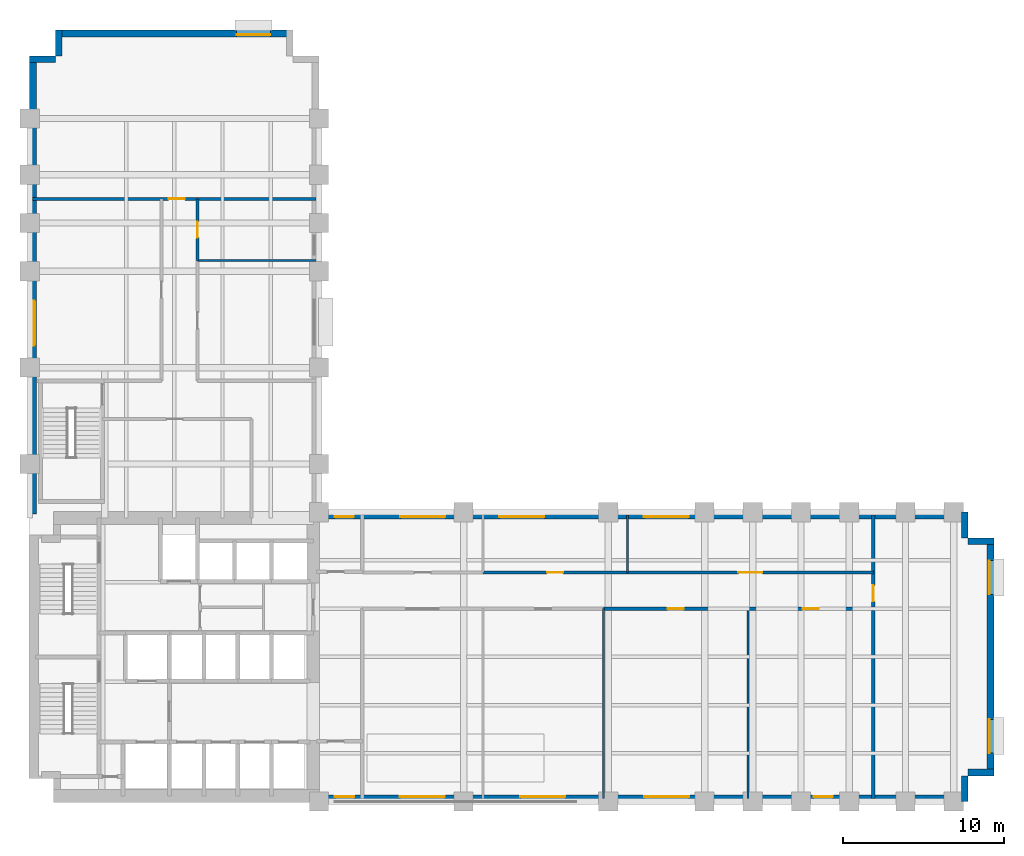
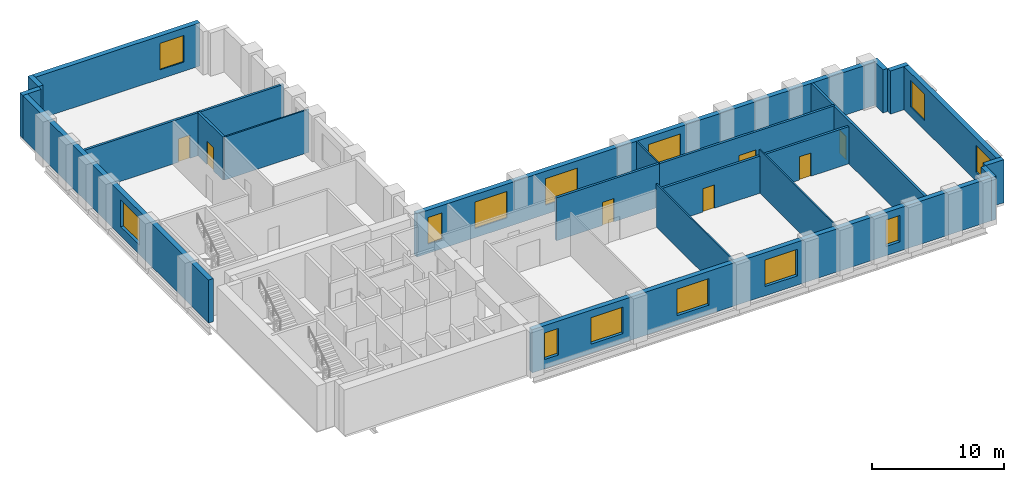
# One storey, part 5 of 8: 22 walls, 13 windows, 7 doors, 20 openings.
"""IFC4 building model written with IfcOpenShell, lengths in metres."""

from ifc_helpers import new_model, si_unit, direction, frame, frame_2d, origin, place, context, subcontext, project, spatial, rectangle, extrude, material, layer, layer_set, type_object, element, fill, save


model = new_model("IFC4")

# Units and contexts
model_context = context("Model", 3, precision=1e-05, world=origin(), true_north=direction((0.0, 1.0)))
body_context = subcontext(model_context, "Body", "Model", "MODEL_VIEW")
ifc_project = project(units=[si_unit("LENGTHUNIT", "METRE"), si_unit("AREAUNIT", "SQUARE_METRE"), si_unit("VOLUMEUNIT", "CUBIC_METRE"), si_unit("PLANEANGLEUNIT", "RADIAN"), si_unit("MASSUNIT", "GRAM", prefix="KILO")], contexts=[model_context])

# Site, building, storey
site_placement = place(None, origin())
site = spatial("IfcSite", under=ifc_project, at=site_placement, CompositionType="ELEMENT")
building_placement = place(site_placement, origin())
building = spatial("IfcBuilding", under=site, at=building_placement, Name="Mawjdan Bourse Tower", CompositionType="ELEMENT")
storey_placement = place(building_placement, frame((0.0, 0.0, 63.60009765625)))
storey = spatial("IfcBuildingStorey", under=building, at=storey_placement, Name="L14", CompositionType="ELEMENT", Elevation=63.60009765625)

# Wall, openings, windows
ifc_material_1 = material(Name="Brick Masonry Buff", Category="masonry")
ifc_layer_1 = layer(ifc_material_1, 0.419921875)
ifc_layer_set_1 = layer_set([ifc_layer_1], Name="Brick Masonry Buff")
wall_type_1 = type_object("IfcWallType", Name="WL-BRK-BUFF-420", PredefinedType="STANDARD", material=ifc_layer_set_1)
wall_1_placement = place(storey_placement, frame((23.89990234375, 3.2099609375, 0.0), z_axis=(0.0, 0.0, 1.0), x_axis=(1.0, 0.0, 0.0)))
wall_1 = element("IfcWall", 1, at=wall_1_placement, inside=storey, type_object=wall_type_1, Name="L14 Exterior Brick Wall 1", PredefinedType="STANDARD", context=body_context, shape_type="SweptSolid", body=[
    extrude(rectangle(XDim=40.5, YDim=0.419921875, at=frame_2d((20.25, 0.0))), origin(), (0.0, 0.0, 1.0), 3.97998046875),
])
opening_1_placement = place(wall_1_placement, frame((1.10009765625, 0.0, 0.85009765625)))
opening_1 = element("IfcOpeningElement", 2, at=opening_1_placement, cuts=wall_1, Name="Opening W-L14-07", PredefinedType="OPENING", context=body_context, shape_type="SweptSolid", body=[
    extrude(rectangle(XDim=1.199951171875, YDim=2.449951171875, at=frame_2d((0.60009765625, 1.22509765625))), frame((0.0, 0.219970703125, 0.0), z_axis=(0.0, -1.0, 0.0), x_axis=(1.0, 0.0, 0.0)), (0.0, 0.0, 1.0), 0.43994140625),
])
opening_2_placement = place(wall_1_placement, frame((5.13623046875, 0.0, 0.85009765625)))
opening_2 = element("IfcOpeningElement", 3, at=opening_2_placement, cuts=wall_1, Name="Opening W-L14-09", PredefinedType="OPENING", context=body_context, shape_type="SweptSolid", body=[
    extrude(rectangle(XDim=2.800048828125, YDim=2.449951171875, at=frame_2d((1.39990234375, 1.22509765625))), frame((0.0, 0.219970703125, 0.0), z_axis=(0.0, -1.0, 0.0), x_axis=(1.0, 0.0, 0.0)), (0.0, 0.0, 1.0), 0.43994140625),
])
opening_3_placement = place(wall_1_placement, frame((12.63623046875, 0.0, 0.85009765625)))
opening_3 = element("IfcOpeningElement", 4, at=opening_3_placement, cuts=wall_1, Name="Opening W-L14-10", PredefinedType="OPENING", context=body_context, shape_type="SweptSolid", body=[
    extrude(rectangle(XDim=2.800048828125, YDim=2.449951171875, at=frame_2d((1.39990234375, 1.22509765625))), frame((0.0, 0.219970703125, 0.0), z_axis=(0.0, -1.0, 0.0), x_axis=(1.0, 0.0, 0.0)), (0.0, 0.0, 1.0), 0.43994140625),
])
opening_4_placement = place(wall_1_placement, frame((20.336181640625, 0.0, 0.85009765625)))
opening_4 = element("IfcOpeningElement", 5, at=opening_4_placement, cuts=wall_1, Name="Opening W-L14-11", PredefinedType="OPENING", context=body_context, shape_type="SweptSolid", body=[
    extrude(rectangle(XDim=2.800048828125, YDim=2.449951171875, at=frame_2d((1.39990234375, 1.22509765625))), frame((0.0, 0.219970703125, 0.0), z_axis=(0.0, -1.0, 0.0), x_axis=(1.0, 0.0, 0.0)), (0.0, 0.0, 1.0), 0.43994140625),
])
opening_5_placement = place(wall_1_placement, frame((30.88623046875, 0.0, 0.85009765625)))
opening_5 = element("IfcOpeningElement", 6, at=opening_5_placement, cuts=wall_1, Name="Opening W-L14-12", PredefinedType="OPENING", context=body_context, shape_type="SweptSolid", body=[
    extrude(rectangle(XDim=1.199951171875, YDim=2.449951171875, at=frame_2d((0.60009765625, 1.22509765625))), frame((0.0, 0.219970703125, 0.0), z_axis=(0.0, -1.0, 0.0), x_axis=(1.0, 0.0, 0.0)), (0.0, 0.0, 1.0), 0.43994140625),
])
ifc_material_2 = material(Name="Solar-Control Clear Double Glazing", Category="glass")
window_type_1 = type_object("IfcWindowType", Name="WN-TRD-1200", PartitioningType="SINGLE_PANEL", PredefinedType="WINDOW", material=ifc_material_2)
window_1_placement = place(opening_1_placement, origin())
window_1 = element("IfcWindow", 7, at=window_1_placement, inside=storey, type_object=window_type_1, Name="L14 Deep-Set Masonry Window W-L14-07", OverallHeight=2.449951171875, OverallWidth=1.199951171875, PartitioningType="SINGLE_PANEL", PredefinedType="WINDOW", context=body_context, shape_type="SweptSolid", body=[
    extrude(rectangle(XDim=1.199951171875, YDim=2.449951171875, at=frame_2d((0.60009765625, 1.22509765625))), frame((0.0, 0.110107421875, 0.0), z_axis=(0.0, -1.0, 0.0), x_axis=(1.0, 0.0, 0.0)), (0.0, 0.0, 1.0), 0.06005859375),
])
fill(opening_1, window_1)
window_2_placement = place(opening_5_placement, origin())
window_2 = element("IfcWindow", 8, at=window_2_placement, inside=storey, type_object=window_type_1, Name="L14 Deep-Set Masonry Window W-L14-12", OverallHeight=2.449951171875, OverallWidth=1.199951171875, PartitioningType="SINGLE_PANEL", PredefinedType="WINDOW", context=body_context, shape_type="SweptSolid", body=[
    extrude(rectangle(XDim=1.199951171875, YDim=2.449951171875, at=frame_2d((0.60009765625, 1.22509765625))), frame((0.0, 0.110107421875, 0.0), z_axis=(0.0, -1.0, 0.0), x_axis=(1.0, 0.0, 0.0)), (0.0, 0.0, 1.0), 0.06005859375),
])
fill(opening_5, window_2)
window_type_2 = type_object("IfcWindowType", Name="WN-TRD-2800", PartitioningType="SINGLE_PANEL", PredefinedType="WINDOW", material=ifc_material_2)
window_3_placement = place(opening_2_placement, origin())
window_3 = element("IfcWindow", 9, at=window_3_placement, inside=storey, type_object=window_type_2, Name="L14 Deep-Set Masonry Window W-L14-09", OverallHeight=2.449951171875, OverallWidth=2.800048828125, PartitioningType="SINGLE_PANEL", PredefinedType="WINDOW", context=body_context, shape_type="SweptSolid", body=[
    extrude(rectangle(XDim=2.800048828125, YDim=2.449951171875, at=frame_2d((1.39990234375, 1.22509765625))), frame((0.0, 0.110107421875, 0.0), z_axis=(0.0, -1.0, 0.0), x_axis=(1.0, 0.0, 0.0)), (0.0, 0.0, 1.0), 0.06005859375),
])
fill(opening_2, window_3)
window_4_placement = place(opening_3_placement, origin())
window_4 = element("IfcWindow", 10, at=window_4_placement, inside=storey, type_object=window_type_2, Name="L14 Deep-Set Masonry Window W-L14-10", OverallHeight=2.449951171875, OverallWidth=2.800048828125, PartitioningType="SINGLE_PANEL", PredefinedType="WINDOW", context=body_context, shape_type="SweptSolid", body=[
    extrude(rectangle(XDim=2.800048828125, YDim=2.449951171875, at=frame_2d((1.39990234375, 1.22509765625))), frame((0.0, 0.110107421875, 0.0), z_axis=(0.0, -1.0, 0.0), x_axis=(1.0, 0.0, 0.0)), (0.0, 0.0, 1.0), 0.06005859375),
])
fill(opening_3, window_4)
window_5_placement = place(opening_4_placement, origin())
window_5 = element("IfcWindow", 11, at=window_5_placement, inside=storey, type_object=window_type_2, Name="L14 Deep-Set Masonry Window W-L14-11", OverallHeight=2.449951171875, OverallWidth=2.800048828125, PartitioningType="SINGLE_PANEL", PredefinedType="WINDOW", context=body_context, shape_type="SweptSolid", body=[
    extrude(rectangle(XDim=2.800048828125, YDim=2.449951171875, at=frame_2d((1.39990234375, 1.22509765625))), frame((0.0, 0.110107421875, 0.0), z_axis=(0.0, -1.0, 0.0), x_axis=(1.0, 0.0, 0.0)), (0.0, 0.0, 1.0), 0.06005859375),
])
fill(opening_4, window_5)

# Walls
for number, where, z_axis, x_axis, name in (
    (12, (64.18994140625, 3.0, 0.0), (0.0, 0.0, 1.0), (0.0, 1.0, 0.0), "L14 Exterior Brick Wall 2"),
    (13, (64.39990234375, 4.81005859375, 0.0), (0.0, 0.0, 1.0), (1.0, 0.0, 0.0), "L14 Exterior Brick Wall 3"),
):
    element("IfcWall", number, at=place(storey_placement, frame(where, z_axis=z_axis, x_axis=x_axis)), inside=storey, type_object=wall_type_1, Name=name, PredefinedType="STANDARD", context=body_context, shape_type="SweptSolid", body=[
        extrude(rectangle(XDim=1.60009765625, YDim=0.419921875, at=frame_2d((0.800048828125, 0.0))), origin(), (0.0, 0.0, 1.0), 3.97998046875),
    ])

# Wall, openings, windows
wall_2_placement = place(storey_placement, frame((65.7900390625, 4.60009765625, 0.0), z_axis=(0.0, 0.0, 1.0), x_axis=(0.0, 1.0, 0.0)))
wall_2 = element("IfcWall", 14, at=wall_2_placement, inside=storey, type_object=wall_type_1, Name="L14 Exterior Brick Wall 4", PredefinedType="STANDARD", context=body_context, shape_type="SweptSolid", body=[
    extrude(rectangle(XDim=14.7998046875, YDim=0.419921875, at=frame_2d((7.39990234375, 0.0))), origin(), (0.0, 0.0, 1.0), 3.97998046875),
])
opening_6_placement = place(wall_2_placement, frame((1.416748046875, 0.0, 0.85009765625)))
opening_6 = element("IfcOpeningElement", 15, at=opening_6_placement, cuts=wall_2, Name="Opening W-L14-01", PredefinedType="OPENING", context=body_context, shape_type="SweptSolid", body=[
    extrude(rectangle(XDim=2.10009765625, YDim=2.449951171875, at=frame_2d((1.050048828125, 1.22509765625))), frame((0.0, 0.219970703125, 0.0), z_axis=(0.0, -1.0, 0.0), x_axis=(1.0, 0.0, 0.0)), (0.0, 0.0, 1.0), 0.43994140625),
])
opening_7_placement = place(wall_2_placement, frame((11.283203125, 0.0, 0.85009765625)))
opening_7 = element("IfcOpeningElement", 16, at=opening_7_placement, cuts=wall_2, Name="Opening W-L14-02", PredefinedType="OPENING", context=body_context, shape_type="SweptSolid", body=[
    extrude(rectangle(XDim=2.10009765625, YDim=2.449951171875, at=frame_2d((1.050048828125, 1.22509765625))), frame((0.0, 0.219970703125, 0.0), z_axis=(0.0, -1.0, 0.0), x_axis=(1.0, 0.0, 0.0)), (0.0, 0.0, 1.0), 0.43994140625),
])
window_type_3 = type_object("IfcWindowType", Name="WN-TRD-2100", PartitioningType="SINGLE_PANEL", PredefinedType="WINDOW", material=ifc_material_2)
window_6_placement = place(opening_6_placement, origin())
window_6 = element("IfcWindow", 17, at=window_6_placement, inside=storey, type_object=window_type_3, Name="L14 Deep-Set Masonry Window W-L14-01", OverallHeight=2.449951171875, OverallWidth=2.10009765625, PartitioningType="SINGLE_PANEL", PredefinedType="WINDOW", context=body_context, shape_type="SweptSolid", body=[
    extrude(rectangle(XDim=2.10009765625, YDim=2.449951171875, at=frame_2d((1.050048828125, 1.22509765625))), frame((0.0, 0.110107421875, 0.0), z_axis=(0.0, -1.0, 0.0), x_axis=(1.0, 0.0, 0.0)), (0.0, 0.0, 1.0), 0.06005859375),
])
fill(opening_6, window_6)
window_7_placement = place(opening_7_placement, origin())
window_7 = element("IfcWindow", 18, at=window_7_placement, inside=storey, type_object=window_type_3, Name="L14 Deep-Set Masonry Window W-L14-02", OverallHeight=2.449951171875, OverallWidth=2.10009765625, PartitioningType="SINGLE_PANEL", PredefinedType="WINDOW", context=body_context, shape_type="SweptSolid", body=[
    extrude(rectangle(XDim=2.10009765625, YDim=2.449951171875, at=frame_2d((1.050048828125, 1.22509765625))), frame((0.0, 0.110107421875, 0.0), z_axis=(0.0, -1.0, 0.0), x_axis=(1.0, 0.0, 0.0)), (0.0, 0.0, 1.0), 0.06005859375),
])
fill(opening_7, window_7)

# Walls
for number, where, z_axis, x_axis, name in (
    (19, (66.0, 19.18994140625, 0.0), (0.0, 0.0, 1.0), (-1.0, 0.0, 0.0), "L14 Exterior Brick Wall 5"),
    (20, (64.18994140625, 19.39990234375, 0.0), (0.0, 0.0, 1.0), (0.0, 1.0, 0.0), "L14 Exterior Brick Wall 6"),
):
    element("IfcWall", number, at=place(storey_placement, frame(where, z_axis=z_axis, x_axis=x_axis)), inside=storey, type_object=wall_type_1, Name=name, PredefinedType="STANDARD", context=body_context, shape_type="SweptSolid", body=[
        extrude(rectangle(XDim=1.60009765625, YDim=0.419921875, at=frame_2d((0.800048828125, 0.0))), origin(), (0.0, 0.0, 1.0), 3.97998046875),
    ])

# Wall, openings, windows
wall_3_placement = place(storey_placement, frame((64.39990234375, 20.7900390625, 0.0), z_axis=(0.0, 0.0, 1.0), x_axis=(-1.0, 0.0, 0.0)))
wall_3 = element("IfcWall", 21, at=wall_3_placement, inside=storey, type_object=wall_type_1, Name="L14 Exterior Brick Wall 7", PredefinedType="STANDARD", context=body_context, shape_type="SweptSolid", body=[
    extrude(rectangle(XDim=40.39990234375, YDim=0.419921875, at=frame_2d((20.199951171875, 0.0))), origin(), (0.0, 0.0, 1.0), 3.97998046875),
])
opening_8_placement = place(wall_3_placement, frame((26.375, 0.0, 0.85009765625)))
opening_8 = element("IfcOpeningElement", 22, at=opening_8_placement, cuts=wall_3, Name="Opening W-L14-03", PredefinedType="OPENING", context=body_context, shape_type="SweptSolid", body=[
    extrude(rectangle(XDim=2.800048828125, YDim=2.449951171875, at=frame_2d((1.39990234375, 1.22509765625))), frame((0.0, 0.219970703125, 0.0), z_axis=(0.0, -1.0, 0.0), x_axis=(1.0, 0.0, 0.0)), (0.0, 0.0, 1.0), 0.43994140625),
])
opening_9_placement = place(wall_3_placement, frame((38.22216796875, 0.0, 0.85009765625)))
opening_9 = element("IfcOpeningElement", 23, at=opening_9_placement, cuts=wall_3, Name="Opening W-L14-08", PredefinedType="OPENING", context=body_context, shape_type="SweptSolid", body=[
    extrude(rectangle(XDim=1.199951171875, YDim=2.449951171875, at=frame_2d((0.60009765625, 1.22509765625))), frame((0.0, 0.219970703125, 0.0), z_axis=(0.0, -1.0, 0.0), x_axis=(1.0, 0.0, 0.0)), (0.0, 0.0, 1.0), 0.43994140625),
])
opening_10_placement = place(wall_3_placement, frame((32.5361328125, 0.0, 0.85009765625)))
opening_10 = element("IfcOpeningElement", 24, at=opening_10_placement, cuts=wall_3, Name="Opening W-L14-13", PredefinedType="OPENING", context=body_context, shape_type="SweptSolid", body=[
    extrude(rectangle(XDim=2.800048828125, YDim=2.449951171875, at=frame_2d((1.39990234375, 1.22509765625))), frame((0.0, 0.219970703125, 0.0), z_axis=(0.0, -1.0, 0.0), x_axis=(1.0, 0.0, 0.0)), (0.0, 0.0, 1.0), 0.43994140625),
])
opening_11_placement = place(wall_3_placement, frame((17.38623046875, 0.0, 0.85009765625)))
opening_11 = element("IfcOpeningElement", 25, at=opening_11_placement, cuts=wall_3, Name="Opening W-L14-14", PredefinedType="OPENING", context=body_context, shape_type="SweptSolid", body=[
    extrude(rectangle(XDim=2.800048828125, YDim=2.449951171875, at=frame_2d((1.39990234375, 1.22509765625))), frame((0.0, 0.219970703125, 0.0), z_axis=(0.0, -1.0, 0.0), x_axis=(1.0, 0.0, 0.0)), (0.0, 0.0, 1.0), 0.43994140625),
])
window_8_placement = place(opening_9_placement, origin())
window_8 = element("IfcWindow", 26, at=window_8_placement, inside=storey, type_object=window_type_1, Name="L14 Deep-Set Masonry Window W-L14-08", OverallHeight=2.449951171875, OverallWidth=1.199951171875, PartitioningType="SINGLE_PANEL", PredefinedType="WINDOW", context=body_context, shape_type="SweptSolid", body=[
    extrude(rectangle(XDim=1.199951171875, YDim=2.449951171875, at=frame_2d((0.60009765625, 1.22509765625))), frame((0.0, 0.110107421875, 0.0), z_axis=(0.0, -1.0, 0.0), x_axis=(1.0, 0.0, 0.0)), (0.0, 0.0, 1.0), 0.06005859375),
])
fill(opening_9, window_8)
window_9_placement = place(opening_8_placement, origin())
window_9 = element("IfcWindow", 27, at=window_9_placement, inside=storey, type_object=window_type_2, Name="L14 Deep-Set Masonry Window W-L14-03", OverallHeight=2.449951171875, OverallWidth=2.800048828125, PartitioningType="SINGLE_PANEL", PredefinedType="WINDOW", context=body_context, shape_type="SweptSolid", body=[
    extrude(rectangle(XDim=2.800048828125, YDim=2.449951171875, at=frame_2d((1.39990234375, 1.22509765625))), frame((0.0, 0.110107421875, 0.0), z_axis=(0.0, -1.0, 0.0), x_axis=(1.0, 0.0, 0.0)), (0.0, 0.0, 1.0), 0.06005859375),
])
fill(opening_8, window_9)
window_10_placement = place(opening_10_placement, origin())
window_10 = element("IfcWindow", 28, at=window_10_placement, inside=storey, type_object=window_type_2, Name="L14 Deep-Set Masonry Window W-L14-13", OverallHeight=2.449951171875, OverallWidth=2.800048828125, PartitioningType="SINGLE_PANEL", PredefinedType="WINDOW", context=body_context, shape_type="SweptSolid", body=[
    extrude(rectangle(XDim=2.800048828125, YDim=2.449951171875, at=frame_2d((1.39990234375, 1.22509765625))), frame((0.0, 0.110107421875, 0.0), z_axis=(0.0, -1.0, 0.0), x_axis=(1.0, 0.0, 0.0)), (0.0, 0.0, 1.0), 0.06005859375),
])
fill(opening_10, window_10)
window_11_placement = place(opening_11_placement, origin())
window_11 = element("IfcWindow", 29, at=window_11_placement, inside=storey, type_object=window_type_2, Name="L14 Deep-Set Masonry Window W-L14-14", OverallHeight=2.449951171875, OverallWidth=2.800048828125, PartitioningType="SINGLE_PANEL", PredefinedType="WINDOW", context=body_context, shape_type="SweptSolid", body=[
    extrude(rectangle(XDim=2.800048828125, YDim=2.449951171875, at=frame_2d((1.39990234375, 1.22509765625))), frame((0.0, 0.110107421875, 0.0), z_axis=(0.0, -1.0, 0.0), x_axis=(1.0, 0.0, 0.0)), (0.0, 0.0, 1.0), 0.06005859375),
])
fill(opening_11, window_11)

# Wall, opening, window
wall_4_placement = place(storey_placement, frame((22.39990234375, 50.7900390625, 0.0), z_axis=(0.0, 0.0, 1.0), x_axis=(-1.0, 0.0, 0.0)))
wall_4 = element("IfcWall", 30, at=wall_4_placement, inside=storey, type_object=wall_type_1, Name="L14 Exterior Brick Wall 11", PredefinedType="STANDARD", context=body_context, shape_type="SweptSolid", body=[
    extrude(rectangle(XDim=14.7998046875, YDim=0.419921875, at=frame_2d((7.39990234375, 0.0))), origin(), (0.0, 0.0, 1.0), 3.97998046875),
])
opening_12_placement = place(wall_4_placement, frame((1.416748046875, 0.0, 0.85009765625)))
opening_12 = element("IfcOpeningElement", 31, at=opening_12_placement, cuts=wall_4, Name="Opening W-L14-05", PredefinedType="OPENING", context=body_context, shape_type="SweptSolid", body=[
    extrude(rectangle(XDim=2.10009765625, YDim=2.449951171875, at=frame_2d((1.050048828125, 1.22509765625))), frame((0.0, 0.219970703125, 0.0), z_axis=(0.0, -1.0, 0.0), x_axis=(1.0, 0.0, 0.0)), (0.0, 0.0, 1.0), 0.43994140625),
])
window_12_placement = place(opening_12_placement, origin())
window_12 = element("IfcWindow", 32, at=window_12_placement, inside=storey, type_object=window_type_3, Name="L14 Deep-Set Masonry Window W-L14-05", OverallHeight=2.449951171875, OverallWidth=2.10009765625, PartitioningType="SINGLE_PANEL", PredefinedType="WINDOW", context=body_context, shape_type="SweptSolid", body=[
    extrude(rectangle(XDim=2.10009765625, YDim=2.449951171875, at=frame_2d((1.050048828125, 1.22509765625))), frame((0.0, 0.110107421875, 0.0), z_axis=(0.0, -1.0, 0.0), x_axis=(1.0, 0.0, 0.0)), (0.0, 0.0, 1.0), 0.06005859375),
])
fill(opening_12, window_12)

# Walls
for number, where, z_axis, x_axis, name in (
    (33, (7.81005859375, 51.0, 0.0), (0.0, 0.0, 1.0), (0.0, -1.0, 0.0), "L14 Exterior Brick Wall 12"),
    (34, (7.60009765625, 49.18994140625, 0.0), (0.0, 0.0, 1.0), (-1.0, 0.0, 0.0), "L14 Exterior Brick Wall 13"),
):
    element("IfcWall", number, at=place(storey_placement, frame(where, z_axis=z_axis, x_axis=x_axis)), inside=storey, type_object=wall_type_1, Name=name, PredefinedType="STANDARD", context=body_context, shape_type="SweptSolid", body=[
        extrude(rectangle(XDim=1.60009765625, YDim=0.419921875, at=frame_2d((0.800048828125, 0.0))), origin(), (0.0, 0.0, 1.0), 3.97998046875),
    ])

# Wall, opening, window
wall_5_placement = place(storey_placement, frame((6.2099609375, 49.39990234375, 0.0), z_axis=(0.0, 0.0, 1.0), x_axis=(0.0, -1.0, 0.0)))
wall_5 = element("IfcWall", 35, at=wall_5_placement, inside=storey, type_object=wall_type_1, Name="L14 Exterior Brick Wall 14", PredefinedType="STANDARD", context=body_context, shape_type="SweptSolid", body=[
    extrude(rectangle(XDim=28.5, YDim=0.419921875, at=frame_2d((14.25, 0.0))), origin(), (0.0, 0.0, 1.0), 3.97998046875),
])
opening_13_placement = place(wall_5_placement, frame((15.22509765625, 0.0, 0.85009765625)))
opening_13 = element("IfcOpeningElement", 36, at=opening_13_placement, cuts=wall_5, Name="Opening W-L14-06", PredefinedType="OPENING", context=body_context, shape_type="SweptSolid", body=[
    extrude(rectangle(XDim=2.800048828125, YDim=2.449951171875, at=frame_2d((1.39990234375, 1.22509765625))), frame((0.0, 0.219970703125, 0.0), z_axis=(0.0, -1.0, 0.0), x_axis=(1.0, 0.0, 0.0)), (0.0, 0.0, 1.0), 0.43994140625),
])
window_13_placement = place(opening_13_placement, origin())
window_13 = element("IfcWindow", 37, at=window_13_placement, inside=storey, type_object=window_type_2, Name="L14 Deep-Set Masonry Window W-L14-06", OverallHeight=2.449951171875, OverallWidth=2.800048828125, PartitioningType="SINGLE_PANEL", PredefinedType="WINDOW", context=body_context, shape_type="SweptSolid", body=[
    extrude(rectangle(XDim=2.800048828125, YDim=2.449951171875, at=frame_2d((1.39990234375, 1.22509765625))), frame((0.0, 0.110107421875, 0.0), z_axis=(0.0, -1.0, 0.0), x_axis=(1.0, 0.0, 0.0)), (0.0, 0.0, 1.0), 0.06005859375),
])
fill(opening_13, window_13)

# Wall, opening, door
ifc_material_3 = material(Name="Gypsum Fireboard Assembly")
ifc_layer_2 = layer(ifc_material_3, 0.199951171875)
ifc_layer_set_2 = layer_set([ifc_layer_2], Name="Gypsum Fireboard Assembly")
wall_type_2 = type_object("IfcWallType", Name="WL-CMP-200", PredefinedType="PARTITIONING", material=ifc_layer_set_2)
wall_6_placement = place(storey_placement, frame((41.699951171875, 15.0, 0.0), z_axis=(0.0, 0.0, 1.0), x_axis=(1.0, 0.0, 0.0)))
wall_6 = element("IfcWall", 38, at=wall_6_placement, inside=storey, type_object=wall_type_2, Name="L14 Executive Office Corridor Wall", PredefinedType="PARTITIONING", context=body_context, shape_type="SweptSolid", body=[
    extrude(rectangle(XDim=9.0, YDim=0.199951171875, at=frame_2d((4.5, 0.0))), origin(), (0.0, 0.0, 1.0), 3.42578125),
])
opening_14_placement = place(wall_6_placement, frame((4.0, 0.0, 0.0)))
opening_14 = element("IfcOpeningElement", 39, at=opening_14_placement, cuts=wall_6, Name="Opening D-L14-22", PredefinedType="OPENING", context=body_context, shape_type="SweptSolid", body=[
    extrude(rectangle(XDim=1.0, YDim=2.14990234375, at=frame_2d((0.5, 1.074951171875))), frame((0.0, 0.10986328125, 0.0), z_axis=(0.0, -1.0, 0.0), x_axis=(1.0, 0.0, 0.0)), (0.0, 0.0, 1.0), 0.219970703125),
])
ifc_material_4 = material(Name="Hardwood Acoustic Leaf", Category="wood")
door_type_1 = type_object("IfcDoorType", Name="DR-OFC-1000", OperationType="NOTDEFINED", PredefinedType="DOOR", material=ifc_material_4)
door_1_placement = place(opening_14_placement, origin())
door_1 = element("IfcDoor", 40, at=door_1_placement, inside=storey, type_object=door_type_1, Name="L14 Executive Office Door D-L14-22", OperationType="SINGLE_SWING_RIGHT", OverallHeight=2.14990234375, OverallWidth=1.0, PredefinedType="DOOR", context=body_context, shape_type="SweptSolid", body=[
    extrude(rectangle(XDim=1.0, YDim=2.14990234375, at=frame_2d((0.5, 1.074951171875))), frame((0.0, 0.02490234375, 0.0), z_axis=(0.0, -1.0, 0.0), x_axis=(1.0, 0.0, 0.0)), (0.0, 0.0, 1.0), 0.050048828125),
])
fill(opening_14, door_1)

wall_7_placement = place(storey_placement, frame((50.699951171875, 15.0, 0.0), z_axis=(0.0, 0.0, 1.0), x_axis=(1.0, 0.0, 0.0)))
wall_7 = element("IfcWall", 41, at=wall_7_placement, inside=storey, type_object=wall_type_2, Name="L14 Training Seminar Room Corridor Wall", PredefinedType="PARTITIONING", context=body_context, shape_type="SweptSolid", body=[
    extrude(rectangle(XDim=7.800048828125, YDim=0.199951171875, at=frame_2d((3.89990234375, 0.0))), origin(), (0.0, 0.0, 1.0), 3.42578125),
])
opening_15_placement = place(wall_7_placement, frame((3.39990234375, 0.0, 0.0)))
opening_15 = element("IfcOpeningElement", 42, at=opening_15_placement, cuts=wall_7, Name="Opening D-L14-23", PredefinedType="OPENING", context=body_context, shape_type="SweptSolid", body=[
    extrude(rectangle(XDim=1.0, YDim=2.14990234375, at=frame_2d((0.5, 1.074951171875))), frame((0.0, 0.10986328125, 0.0), z_axis=(0.0, -1.0, 0.0), x_axis=(1.0, 0.0, 0.0)), (0.0, 0.0, 1.0), 0.219970703125),
])
door_2_placement = place(opening_15_placement, origin())
door_2 = element("IfcDoor", 43, at=door_2_placement, inside=storey, type_object=door_type_1, Name="L14 Training Seminar Room Door D-L14-23", OperationType="SINGLE_SWING_LEFT", OverallHeight=2.14990234375, OverallWidth=1.0, PredefinedType="DOOR", context=body_context, shape_type="SweptSolid", body=[
    extrude(rectangle(XDim=1.0, YDim=2.14990234375, at=frame_2d((0.5, 1.074951171875))), frame((0.0, 0.02490234375, 0.0), z_axis=(0.0, -1.0, 0.0), x_axis=(1.0, 0.0, 0.0)), (0.0, 0.0, 1.0), 0.050048828125),
])
fill(opening_15, door_2)

wall_8_placement = place(storey_placement, frame((34.199951171875, 17.25, 0.0), z_axis=(0.0, 0.0, 1.0), x_axis=(1.0, 0.0, 0.0)))
wall_8 = element("IfcWall", 44, at=wall_8_placement, inside=storey, type_object=wall_type_2, Name="L14 Training Seminar Room Corridor Wall", PredefinedType="PARTITIONING", context=body_context, shape_type="SweptSolid", body=[
    extrude(rectangle(XDim=9.0, YDim=0.199951171875, at=frame_2d((4.5, 0.0))), origin(), (0.0, 0.0, 1.0), 3.969970703125),
])
opening_16_placement = place(wall_8_placement, frame((4.0, 0.0, 0.0)))
opening_16 = element("IfcOpeningElement", 45, at=opening_16_placement, cuts=wall_8, Name="Opening D-L14-25", PredefinedType="OPENING", context=body_context, shape_type="SweptSolid", body=[
    extrude(rectangle(XDim=1.0, YDim=2.14990234375, at=frame_2d((0.5, 1.074951171875))), frame((0.0, 0.10986328125, 0.0), z_axis=(0.0, -1.0, 0.0), x_axis=(1.0, 0.0, 0.0)), (0.0, 0.0, 1.0), 0.219970703125),
])
door_3_placement = place(opening_16_placement, origin())
door_3 = element("IfcDoor", 46, at=door_3_placement, inside=storey, type_object=door_type_1, Name="L14 Training Seminar Room Door D-L14-25", OperationType="SINGLE_SWING_LEFT", OverallHeight=2.14990234375, OverallWidth=1.0, PredefinedType="DOOR", context=body_context, shape_type="SweptSolid", body=[
    extrude(rectangle(XDim=1.0, YDim=2.14990234375, at=frame_2d((0.5, 1.074951171875))), frame((0.0, 0.02490234375, 0.0), z_axis=(0.0, -1.0, 0.0), x_axis=(1.0, 0.0, 0.0)), (0.0, 0.0, 1.0), 0.050048828125),
])
fill(opening_16, door_3)

wall_9_placement = place(storey_placement, frame((43.199951171875, 17.25, 0.0), z_axis=(0.0, 0.0, 1.0), x_axis=(1.0, 0.0, 0.0)))
wall_9 = element("IfcWall", 47, at=wall_9_placement, inside=storey, type_object=wall_type_2, Name="L14 Conference Room Corridor Wall", PredefinedType="PARTITIONING", context=body_context, shape_type="SweptSolid", body=[
    extrude(rectangle(XDim=15.300048828125, YDim=0.199951171875, at=frame_2d((7.64990234375, 0.0))), origin(), (0.0, 0.0, 1.0), 3.969970703125),
])
opening_17_placement = place(wall_9_placement, frame((6.89990234375, 0.0, 0.0)))
opening_17 = element("IfcOpeningElement", 48, at=opening_17_placement, cuts=wall_9, Name="Opening D-L14-26", PredefinedType="OPENING", context=body_context, shape_type="SweptSolid", body=[
    extrude(rectangle(XDim=1.5, YDim=2.300048828125, at=frame_2d((0.75, 1.14990234375))), frame((0.0, 0.10986328125, 0.0), z_axis=(0.0, -1.0, 0.0), x_axis=(1.0, 0.0, 0.0)), (0.0, 0.0, 1.0), 0.219970703125),
])
ifc_material_5 = material(Name="Acoustic Glazed Timber", Category="wood")
door_type_2 = type_object("IfcDoorType", Name="DR-CNF-1500", OperationType="DOUBLE_DOOR_SINGLE_SWING", PredefinedType="DOOR", material=ifc_material_5)
door_4_placement = place(opening_17_placement, origin())
door_4 = element("IfcDoor", 49, at=door_4_placement, inside=storey, type_object=door_type_2, Name="L14 Conference Room Door D-L14-26", OperationType="DOUBLE_DOOR_SINGLE_SWING", OverallHeight=2.300048828125, OverallWidth=1.5, PredefinedType="DOOR", context=body_context, shape_type="SweptSolid", body=[
    extrude(rectangle(XDim=1.5, YDim=2.300048828125, at=frame_2d((0.75, 1.14990234375))), frame((0.0, 0.02490234375, 0.0), z_axis=(0.0, -1.0, 0.0), x_axis=(1.0, 0.0, 0.0)), (0.0, 0.0, 1.0), 0.050048828125),
])
fill(opening_17, door_4)

wall_10_placement = place(storey_placement, frame((58.5, 3.179931640625, 0.0), z_axis=(0.0, 0.0, 1.0), x_axis=(0.0, 1.0, 0.0)))
wall_10 = element("IfcWall", 50, at=wall_10_placement, inside=storey, type_object=wall_type_2, Name="L14 East Tip Full Cross Wall", PredefinedType="PARTITIONING", context=body_context, shape_type="SweptSolid", body=[
    extrude(rectangle(XDim=17.64013671875, YDim=0.199951171875, at=frame_2d((8.820068359375, 0.0))), origin(), (0.0, 0.0, 1.0), 3.969970703125),
])
opening_18_placement = place(wall_10_placement, frame((12.27490234375, 0.0, 0.0)))
opening_18 = element("IfcOpeningElement", 51, at=opening_18_placement, cuts=wall_10, Name="Opening D-L14-27", PredefinedType="OPENING", context=body_context, shape_type="SweptSolid", body=[
    extrude(rectangle(XDim=1.0, YDim=2.14990234375, at=frame_2d((0.5, 1.074951171875))), frame((0.0, 0.10986328125, 0.0), z_axis=(0.0, -1.0, 0.0), x_axis=(1.0, 0.0, 0.0)), (0.0, 0.0, 1.0), 0.219970703125),
])
door_5_placement = place(opening_18_placement, origin())
door_5 = element("IfcDoor", 52, at=door_5_placement, inside=storey, type_object=door_type_1, Name="L14 East Tip Hall Door D-L14-27", OperationType="SINGLE_SWING_RIGHT", OverallHeight=2.14990234375, OverallWidth=1.0, PredefinedType="DOOR", context=body_context, shape_type="SweptSolid", body=[
    extrude(rectangle(XDim=1.0, YDim=2.14990234375, at=frame_2d((0.5, 1.074951171875))), frame((0.0, 0.02490234375, 0.0), z_axis=(0.0, -1.0, 0.0), x_axis=(1.0, 0.0, 0.0)), (0.0, 0.0, 1.0), 0.050048828125),
])
fill(opening_18, door_5)

wall_11_placement = place(storey_placement, frame((16.449951171875, 36.679931640625, 0.0), z_axis=(0.0, 0.0, 1.0), x_axis=(0.0, 1.0, 0.0)))
wall_11 = element("IfcWall", 53, at=wall_11_placement, inside=storey, type_object=wall_type_2, Name="L14 Conference Room Corridor Wall", PredefinedType="PARTITIONING", context=body_context, shape_type="SweptSolid", body=[
    extrude(rectangle(XDim=3.820068359375, YDim=0.199951171875, at=frame_2d((1.91015625, 0.0))), origin(), (0.0, 0.0, 1.0), 3.969970703125),
])
opening_19_placement = place(wall_11_placement, frame((1.409912109375, 0.0, 0.0)))
opening_19 = element("IfcOpeningElement", 54, at=opening_19_placement, cuts=wall_11, Name="Opening D-L14-31", PredefinedType="OPENING", context=body_context, shape_type="SweptSolid", body=[
    extrude(rectangle(XDim=1.0, YDim=2.14990234375, at=frame_2d((0.5, 1.074951171875))), frame((0.0, 0.10986328125, 0.0), z_axis=(0.0, -1.0, 0.0), x_axis=(1.0, 0.0, 0.0)), (0.0, 0.0, 1.0), 0.219970703125),
])
door_6_placement = place(opening_19_placement, origin())
door_6 = element("IfcDoor", 55, at=door_6_placement, inside=storey, type_object=door_type_1, Name="L14 Conference Room Door D-L14-31", OperationType="SINGLE_SWING_RIGHT", OverallHeight=2.14990234375, OverallWidth=1.0, PredefinedType="DOOR", context=body_context, shape_type="SweptSolid", body=[
    extrude(rectangle(XDim=1.0, YDim=2.14990234375, at=frame_2d((0.5, 1.074951171875))), frame((0.0, 0.02490234375, 0.0), z_axis=(0.0, -1.0, 0.0), x_axis=(1.0, 0.0, 0.0)), (0.0, 0.0, 1.0), 0.050048828125),
])
fill(opening_19, door_6)

wall_12_placement = place(storey_placement, frame((6.179931640625, 40.5, 0.0), z_axis=(0.0, 0.0, 1.0), x_axis=(1.0, 0.0, 0.0)))
wall_12 = element("IfcWall", 56, at=wall_12_placement, inside=storey, type_object=wall_type_2, Name="L14 North Tip Full Cross Wall", PredefinedType="PARTITIONING", context=body_context, shape_type="SweptSolid", body=[
    extrude(rectangle(XDim=17.64013671875, YDim=0.199951171875, at=frame_2d((8.820068359375, 0.0))), origin(), (0.0, 0.0, 1.0), 3.969970703125),
])
opening_20_placement = place(wall_12_placement, frame((8.47509765625, 0.0, 0.0)))
opening_20 = element("IfcOpeningElement", 57, at=opening_20_placement, cuts=wall_12, Name="Opening D-L14-32", PredefinedType="OPENING", context=body_context, shape_type="SweptSolid", body=[
    extrude(rectangle(XDim=1.0, YDim=2.14990234375, at=frame_2d((0.5, 1.074951171875))), frame((0.0, 0.10986328125, 0.0), z_axis=(0.0, -1.0, 0.0), x_axis=(1.0, 0.0, 0.0)), (0.0, 0.0, 1.0), 0.219970703125),
])
door_7_placement = place(opening_20_placement, origin())
door_7 = element("IfcDoor", 58, at=door_7_placement, inside=storey, type_object=door_type_1, Name="L14 North Tip Suite Door D-L14-32", OperationType="SINGLE_SWING_LEFT", OverallHeight=2.14990234375, OverallWidth=1.0, PredefinedType="DOOR", context=body_context, shape_type="SweptSolid", body=[
    extrude(rectangle(XDim=1.0, YDim=2.14990234375, at=frame_2d((0.5, 1.074951171875))), frame((0.0, 0.02490234375, 0.0), z_axis=(0.0, -1.0, 0.0), x_axis=(1.0, 0.0, 0.0)), (0.0, 0.0, 1.0), 0.050048828125),
])
fill(opening_20, door_7)

# Walls
ifc_material_6 = material(Name="Gypsum Partition")
ifc_layer_3 = layer(ifc_material_6, 0.125)
ifc_layer_set_3 = layer_set([ifc_layer_3], Name="Gypsum Partition")
wall_type_3 = type_object("IfcWallType", Name="WL-PRT-125", PredefinedType="PARTITIONING", material=ifc_layer_set_3)
for number, where, z_axis, x_axis, name in (
    (59, (41.699951171875, 3.179931640625, 0.0), (0.0, 0.0, 1.0), (0.0, 1.0, 0.0), "L14 Executive Office Partition"),
    (60, (50.699951171875, 3.179931640625, 0.0), (0.0, 0.0, 1.0), (0.0, 1.0, 0.0), "L14 Training Seminar Room Partition"),
):
    element("IfcWall", number, at=place(storey_placement, frame(where, z_axis=z_axis, x_axis=x_axis)), inside=storey, type_object=wall_type_3, Name=name, PredefinedType="PARTITIONING", context=body_context, shape_type="SweptSolid", body=[
        extrude(rectangle(XDim=11.820068359375, YDim=0.125, at=frame_2d((5.91015625, 0.0))), origin(), (0.0, 0.0, 1.0), 3.969970703125),
    ])
wall_13_placement = place(storey_placement, frame((43.199951171875, 17.25, 0.0), z_axis=(0.0, 0.0, 1.0), x_axis=(0.0, 1.0, 0.0)))
element("IfcWall", 61, at=wall_13_placement, inside=storey, type_object=wall_type_3, Name="L14 Conference Room Partition", PredefinedType="PARTITIONING", context=body_context, shape_type="SweptSolid", body=[
    extrude(rectangle(XDim=3.570068359375, YDim=0.125, at=frame_2d((1.78515625, 0.0))), origin(), (0.0, 0.0, 1.0), 3.969970703125),
])
wall_14_placement = place(storey_placement, frame((16.449951171875, 36.679931640625, 0.0), z_axis=(0.0, 0.0, 1.0), x_axis=(1.0, 0.0, 0.0)))
element("IfcWall", 62, at=wall_14_placement, inside=storey, type_object=wall_type_3, Name="L14 Conference Room Partition", PredefinedType="PARTITIONING", context=body_context, shape_type="SweptSolid", body=[
    extrude(rectangle(XDim=7.3701171875, YDim=0.125, at=frame_2d((3.68505859375, 0.0))), origin(), (0.0, 0.0, 1.0), 3.969970703125),
])

save(model, "model.ifc")
